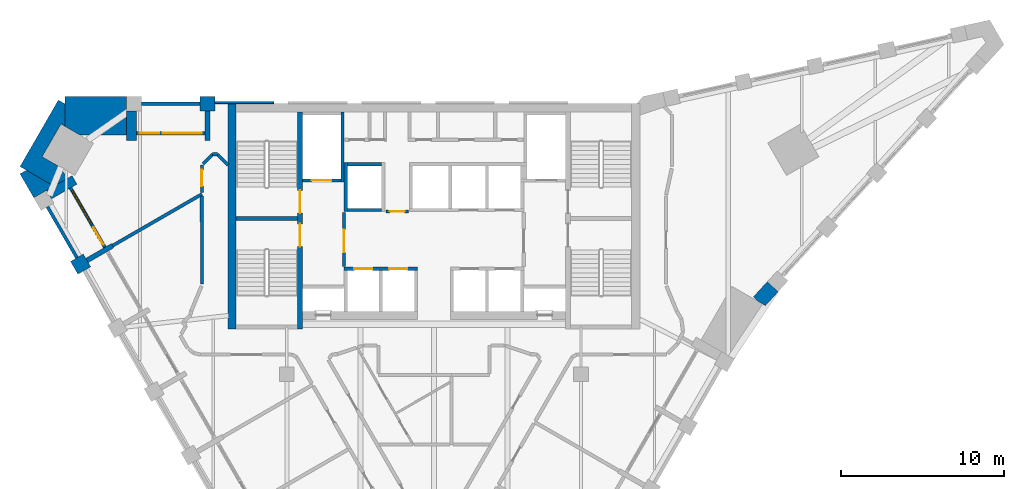
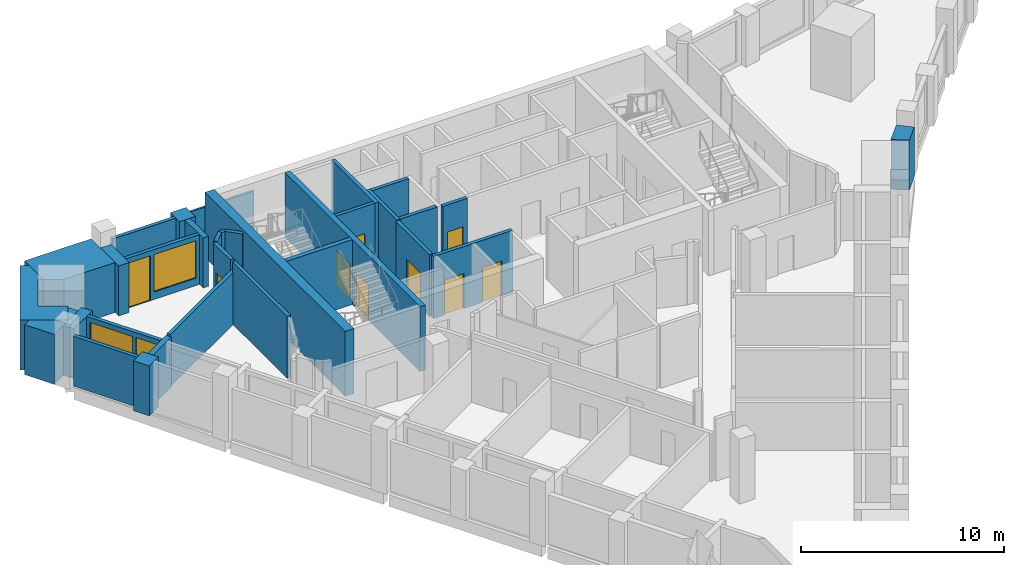
# One storey, part 5 of 8: 32 walls, 10 doors, 2 windows, 12 openings.
"""IFC4 building model written with IfcOpenShell, lengths in metres."""

from ifc_helpers import new_model, si_unit, direction, frame, frame_2d, origin, place, context, subcontext, project, spatial, polyline, rectangle, outline, extrude, material, layer, layer_set, type_object, element, fill, save


model = new_model("IFC4")

# Units and contexts
model_context = context("Model", 3, precision=1e-05, world=origin(), true_north=direction((0.0, 1.0)))
body_context = subcontext(model_context, "Body", "Model", "MODEL_VIEW")
ifc_project = project(units=[si_unit("LENGTHUNIT", "METRE"), si_unit("AREAUNIT", "SQUARE_METRE"), si_unit("VOLUMEUNIT", "CUBIC_METRE"), si_unit("PLANEANGLEUNIT", "RADIAN"), si_unit("MASSUNIT", "GRAM", prefix="KILO")], contexts=[model_context])

# Site, building, storey
site_placement = place(None, origin())
site = spatial("IfcSite", under=ifc_project, at=site_placement, CompositionType="ELEMENT")
building_placement = place(site_placement, origin())
building = spatial("IfcBuilding", under=site, at=building_placement, Name="Calabash Gate Tower", CompositionType="ELEMENT")
storey_placement = place(building_placement, frame((0.0, 0.0, 252.10009765625)))
storey = spatial("IfcBuildingStorey", under=building, at=storey_placement, Name="L60", CompositionType="ELEMENT", Elevation=252.10009765625)

# Walls
ifc_material_1 = material(Name="Terracotta brick masonry, exposed face", Category="masonry")
ifc_layer_1 = layer(ifc_material_1, 2.35009765625)
ifc_layer_set_1 = layer_set([ifc_layer_1], Name="Brick corner mass wall 2350")
wall_type_1 = type_object("IfcWallType", Name="Brick corner mass wall 2350", PredefinedType="SOLIDWALL", material=ifc_layer_set_1)
wall_1_placement = place(storey_placement, origin())
element("IfcWall", 1, at=wall_1_placement, inside=storey, type_object=wall_type_1, Name="Brick corner pier S17 3a", PredefinedType="SOLIDWALL", context=body_context, shape_type="SweptSolid", body=[
    extrude(outline(polyline([(-21.698974609375, 17.152587890625), (-18.805419921875, 17.152587890625), (-18.805419921875, 19.50244140625), (-22.59228515625, 19.50244140625), (-22.59228515625, 17.66845703125), (-21.698974609375, 17.152587890625)])), origin(), (0.0, 0.0, 1.0), 3.0),
])
wall_2_placement = place(storey_placement, origin())
element("IfcWall", 2, at=wall_2_placement, inside=storey, type_object=wall_type_1, Name="Brick corner pier S17 3b", PredefinedType="SOLIDWALL", context=body_context, shape_type="SweptSolid", body=[
    extrude(outline(polyline([(-22.822021484375, 17.801025390625), (-22.59228515625, 17.66845703125), (-22.59228515625, 19.052490234375), (-22.98193359375, 19.277587890625), (-25.331298828125, 15.20849609375), (-23.296142578125, 14.033447265625), (-22.6962890625, 15.072509765625), (-23.971923828125, 15.80908203125), (-22.822021484375, 17.801025390625)])), origin(), (0.0, 0.0, 1.0), 3.0),
])
wall_3_placement = place(storey_placement, origin())
element("IfcWall", 3, at=wall_3_placement, inside=storey, type_object=wall_type_1, Name="Brick corner pier S17 3c", PredefinedType="SOLIDWALL", context=body_context, shape_type="SweptSolid", body=[
    extrude(outline(polyline([(-22.747802734375, 14.9833984375), (-23.296142578125, 14.033447265625), (-24.941650390625, 14.9833984375), (-25.331298828125, 14.758544921875), (-24.487548828125, 13.296875), (-22.452392578125, 14.471923828125), (-22.747802734375, 14.9833984375)])), origin(), (0.0, 0.0, 1.0), 3.0),
])
ifc_material_2 = material(Name="Terracotta brick masonry, exposed face", Category="masonry")
ifc_layer_2 = layer(ifc_material_2, 0.89990234375)
ifc_layer_set_2 = layer_set([ifc_layer_2], Name="Brick end wall 900")
wall_type_2 = type_object("IfcWallType", Name="Brick end wall 900", PredefinedType="SOLIDWALL", material=ifc_layer_set_2)
wall_4_placement = place(storey_placement, frame((-21.39794921875, 8.845458984375, 0.0), z_axis=(0.0, 0.0, 1.0), x_axis=(-0.50001992892, 0.866013897511, 0.0)))
element("IfcWall", 4, at=wall_4_placement, inside=storey, type_object=wall_type_2, Name="Brick pier S17 SW0.1", PredefinedType="SOLIDWALL", context=body_context, shape_type="SweptSolid", body=[
    extrude(rectangle(XDim=0.89990234375, YDim=0.89990234375, at=frame_2d((0.449951171875, 0.0))), origin(), (0.0, 0.0, 1.0), 3.0),
])
wall_5_placement = place(storey_placement, origin())
element("IfcWall", 5, at=wall_5_placement, inside=storey, type_object=wall_type_2, Name="Brick pier S17 N6.5", PredefinedType="SOLIDWALL", context=body_context, shape_type="SweptSolid", body=[
    extrude(outline(polyline([(-13.405517578125, 19.50244140625), (-14.305419921875, 19.50244140625), (-14.305419921875, 18.6025390625), (-13.405517578125, 18.6025390625), (-13.405517578125, 19.50244140625)])), origin(), (0.0, 0.0, 1.0), 3.0),
])
wall_6_placement = place(storey_placement, origin())
element("IfcWall", 6, at=wall_6_placement, inside=storey, type_object=wall_type_2, Name="Brick end wall S17 1", PredefinedType="SOLIDWALL", context=body_context, shape_type="SweptSolid", body=[
    extrude(outline(polyline([(20.394775390625, 8.15625), (19.54931640625, 7.23193359375), (19.88134765625, 6.92822265625), (20.271240234375, 6.703125), (20.24658203125, 6.66064453125), (21.058837890625, 7.548828125), (20.394775390625, 8.15625)])), origin(), (0.0, 0.0, 1.0), 3.0),
])
ifc_material_3 = material(Name="Terracotta brick masonry, exposed face", Category="masonry")
ifc_layer_3 = layer(ifc_material_3, 0.300048828125)
ifc_layer_set_3 = layer_set([ifc_layer_3], Name="Brick loggia cheek wall 300")
wall_type_3 = type_object("IfcWallType", Name="Brick loggia cheek wall 300", PredefinedType="SOLIDWALL", material=ifc_layer_set_3)
wall_7_placement = place(storey_placement, frame((-23.55810546875, 13.487060546875, 0.0), z_axis=(0.0, 0.0, 1.0), x_axis=(0.865989075817, 0.500062916607, 0.0)))
element("IfcWall", 7, at=wall_7_placement, inside=storey, type_object=wall_type_3, Name="Loggia cheek S17 SW0.0", PredefinedType="SOLIDWALL", context=body_context, shape_type="SweptSolid", body=[
    extrude(rectangle(XDim=1.800048828125, YDim=0.60009765625, at=frame_2d((0.89990234375, 0.0))), origin(), (0.0, 0.0, 1.0), 3.0),
])
wall_8_placement = place(storey_placement, frame((-21.233154296875, 9.460205078125, 0.0), z_axis=(0.0, 0.0, 1.0), x_axis=(0.866047807691, 0.499961193289, 0.0)))
element("IfcWall", 8, at=wall_8_placement, inside=storey, type_object=wall_type_3, Name="Loggia cheek S17 SW0.1", PredefinedType="SOLIDWALL", context=body_context, shape_type="SweptSolid", body=[
    extrude(rectangle(XDim=1.800048828125, YDim=0.300048828125, at=frame_2d((0.89990234375, 0.0))), origin(), (0.0, 0.0, 1.0), 3.0),
])
wall_9_placement = place(storey_placement, origin())
element("IfcWall", 9, at=wall_9_placement, inside=storey, type_object=wall_type_3, Name="Loggia cheek S17 N6.5", PredefinedType="SOLIDWALL", context=body_context, shape_type="SweptSolid", body=[
    extrude(outline(polyline([(-13.705322265625, 16.802490234375), (-13.705322265625, 18.6025390625), (-14.00537109375, 18.6025390625), (-14.00537109375, 16.802490234375), (-13.705322265625, 16.802490234375)])), origin(), (0.0, 0.0, 1.0), 3.0),
])
wall_10_placement = place(storey_placement, origin())
element("IfcWall", 10, at=wall_10_placement, inside=storey, type_object=wall_type_3, Name="Loggia cheek S17 N6.6", PredefinedType="SOLIDWALL", context=body_context, shape_type="SweptSolid", body=[
    extrude(outline(polyline([(-18.805419921875, 18.6025390625), (-18.805419921875, 16.802490234375), (-18.205322265625, 16.802490234375), (-18.205322265625, 18.6025390625), (-18.805419921875, 18.6025390625)])), origin(), (0.0, 0.0, 1.0), 3.0),
])
ifc_material_4 = material(Name="Concrete C60/75", Category="concrete")
ifc_layer_4 = layer(ifc_material_4, 0.25)
ifc_layer_set_4 = layer_set([ifc_layer_4], Name="Core wall 250 Concrete C60/75")
wall_type_4 = type_object("IfcWallType", Name="Core wall 250 Concrete C60/75", PredefinedType="SHEAR", material=ifc_layer_set_4)
wall_11_placement = place(storey_placement, frame((-12.10009765625, 12.027587890625, 0.0), z_axis=(0.0, 0.0, 1.0), x_axis=(1.0, 0.0, 0.0)))
element("IfcWall", 11, at=wall_11_placement, inside=storey, type_object=wall_type_4, Name="Core wall Z5-MIDW L60", PredefinedType="SHEAR", context=body_context, shape_type="SweptSolid", body=[
    extrude(rectangle(XDim=3.75, YDim=0.25, at=frame_2d((1.875, 0.0))), origin(), (0.0, 0.0, 1.0), 3.89990234375),
])

# Wall, openings, doors
ifc_material_5 = material(Name="Concrete C60/75", Category="concrete")
ifc_layer_5 = layer(ifc_material_5, 0.300048828125)
ifc_layer_set_5 = layer_set([ifc_layer_5], Name="Core wall 300 Concrete C60/75")
wall_type_5 = type_object("IfcWallType", Name="Core wall 300 Concrete C60/75", PredefinedType="SHEAR", material=ifc_layer_set_5)
wall_12_placement = place(storey_placement, frame((-8.199951171875, 5.252685546875, 0.0), z_axis=(0.0, 0.0, 1.0), x_axis=(0.0, 1.0, 0.0)))
wall_12 = element("IfcWall", 12, at=wall_12_placement, inside=storey, type_object=wall_type_5, Name="Core wall Z5-PARTW L60", PredefinedType="SHEAR", context=body_context, shape_type="SweptSolid", body=[
    extrude(rectangle(XDim=13.2998046875, YDim=0.300048828125, at=frame_2d((6.64990234375, 0.0))), origin(), (0.0, 0.0, 1.0), 3.89990234375),
])
opening_1_placement = place(wall_12_placement, frame((7.10009765625, 0.0, 0.0)))
opening_1 = element("IfcOpeningElement", 13, at=opening_1_placement, cuts=wall_12, Name="Opening O9-011", PredefinedType="OPENING", context=body_context, shape_type="SweptSolid", body=[
    extrude(rectangle(XDim=1.39990234375, YDim=2.10009765625, at=frame_2d((0.699951171875, 1.050048828125))), frame((0.0, 0.159912109375, 0.0), z_axis=(0.0, -1.0, 0.0), x_axis=(1.0, 0.0, 0.0)), (0.0, 0.0, 1.0), 0.320068359375),
])
opening_2_placement = place(wall_12_placement, frame((5.050048828125, 0.0, 0.0)))
opening_2 = element("IfcOpeningElement", 14, at=opening_2_placement, cuts=wall_12, Name="Opening O9-012", PredefinedType="OPENING", context=body_context, shape_type="SweptSolid", body=[
    extrude(rectangle(XDim=1.39990234375, YDim=2.10009765625, at=frame_2d((0.699951171875, 1.050048828125))), frame((0.0, 0.159912109375, 0.0), z_axis=(0.0, -1.0, 0.0), x_axis=(1.0, 0.0, 0.0)), (0.0, 0.0, 1.0), 0.320068359375),
])
ifc_material_6 = material(Name="Steel fire door set with fire-resisting glazing", Category="steel")
door_type_1 = type_object("IfcDoorType", Name="Fire door D05 1400x2100 FD90", OperationType="NOTDEFINED", PredefinedType="DOOR", material=ifc_material_6)
door_1_placement = place(opening_1_placement, origin())
door_1 = element("IfcDoor", 15, at=door_1_placement, inside=storey, type_object=door_type_1, Name="Exit stair door ST1", OperationType="SINGLE_SWING_LEFT", OverallHeight=2.10009765625, OverallWidth=1.39990234375, PredefinedType="DOOR", context=body_context, shape_type="SweptSolid", body=[
    extrude(rectangle(XDim=1.39990234375, YDim=2.10009765625, at=frame_2d((0.699951171875, 1.050048828125))), frame((0.0, 0.02490234375, 0.0), z_axis=(0.0, -1.0, 0.0), x_axis=(1.0, 0.0, 0.0)), (0.0, 0.0, 1.0), 0.050048828125),
])
fill(opening_1, door_1)
door_2_placement = place(opening_2_placement, origin())
door_2 = element("IfcDoor", 16, at=door_2_placement, inside=storey, type_object=door_type_1, Name="Exit stair door ST2", OperationType="SINGLE_SWING_LEFT", OverallHeight=2.10009765625, OverallWidth=1.39990234375, PredefinedType="DOOR", context=body_context, shape_type="SweptSolid", body=[
    extrude(rectangle(XDim=1.39990234375, YDim=2.10009765625, at=frame_2d((0.699951171875, 1.050048828125))), frame((0.0, 0.02490234375, 0.0), z_axis=(0.0, -1.0, 0.0), x_axis=(1.0, 0.0, 0.0)), (0.0, 0.0, 1.0), 0.050048828125),
])
fill(opening_2, door_2)

# Walls
ifc_material_7 = material(Name="Concrete C60/75", Category="concrete")
ifc_layer_6 = layer(ifc_material_7, 0.5)
ifc_layer_set_6 = layer_set([ifc_layer_6], Name="Core wall 500 Concrete C60/75")
wall_type_6 = type_object("IfcWallType", Name="Core wall 500 Concrete C60/75", PredefinedType="SHEAR", material=ifc_layer_set_6)
wall_13_placement = place(storey_placement, frame((-12.35009765625, 5.252685546875, 0.0), z_axis=(0.0, 0.0, 1.0), x_axis=(0.0, 1.0, 0.0)))
element("IfcWall", 17, at=wall_13_placement, inside=storey, type_object=wall_type_6, Name="Core wall Z5-COLW L60", PredefinedType="SHEAR", context=body_context, shape_type="SweptSolid", body=[
    extrude(rectangle(XDim=13.7998046875, YDim=0.5, at=frame_2d((6.89990234375, 0.0))), origin(), (0.0, 0.0, 1.0), 3.89990234375),
])
ifc_material_8 = material(Name="Gypsum board on steel studs, mineral wool", Category="steel")
ifc_layer_7 = layer(ifc_material_8, 0.199951171875)
ifc_layer_set_7 = layer_set([ifc_layer_7], Name="Partition 200 gypsum board EI 60")
wall_type_7 = type_object("IfcWallType", Name="Partition 200 gypsum board EI 60", PredefinedType="PARTITIONING", material=ifc_layer_set_7)
wall_14_placement = place(storey_placement, frame((-14.201904296875, 13.41943359375, 0.0), z_axis=(0.0, 0.0, 1.0), x_axis=(0.000271161919, -0.999999963236, 0.0)))
element("IfcWall", 18, at=wall_14_placement, inside=storey, type_object=wall_type_7, Name="Partition", PredefinedType="PARTITIONING", context=body_context, shape_type="SweptSolid", body=[
    extrude(rectangle(XDim=5.402099609375, YDim=0.199951171875, at=frame_2d((2.701171875, 0.0))), origin(), (0.0, 0.0, 1.0), 3.72998046875),
])
wall_15_placement = place(storey_placement, frame((-19.67431640625, 10.3603515625, 0.0), z_axis=(0.0, 0.0, 1.0), x_axis=(0.866038288688, 0.499977682029, 0.0)))
element("IfcWall", 19, at=wall_15_placement, inside=storey, type_object=wall_type_7, Name="Partition", PredefinedType="PARTITIONING", context=body_context, shape_type="SweptSolid", body=[
    extrude(rectangle(XDim=6.320556640625, YDim=0.199951171875, at=frame_2d((3.16015625, 0.0))), origin(), (0.0, 0.0, 1.0), 3.1279296875),
])

# Wall, opening, door
wall_16_placement = place(storey_placement, frame((-14.200439453125, 13.62060546875, 0.0), z_axis=(0.0, 0.0, 1.0), x_axis=(0.0, 1.0, 0.0)))
wall_16 = element("IfcWall", 20, at=wall_16_placement, inside=storey, type_object=wall_type_7, Name="Partition", PredefinedType="PARTITIONING", context=body_context, shape_type="SweptSolid", body=[
    extrude(rectangle(XDim=1.67236328125, YDim=0.199951171875, at=frame_2d((0.836181640625, 0.0))), origin(), (0.0, 0.0, 1.0), 3.72998046875),
])
opening_3_placement = place(wall_16_placement, frame((0.385009765625, 0.0, 0.0)))
opening_3 = element("IfcOpeningElement", 21, at=opening_3_placement, cuts=wall_16, Name="Opening 59-61-009", PredefinedType="OPENING", context=body_context, shape_type="SweptSolid", body=[
    extrude(rectangle(XDim=1.0, YDim=2.10009765625, at=frame_2d((0.5, 1.050048828125))), frame((0.0, 0.10986328125, 0.0), z_axis=(0.0, -1.0, 0.0), x_axis=(1.0, 0.0, 0.0)), (0.0, 0.0, 1.0), 0.219970703125),
])
ifc_material_9 = material(Name="Steel fire door set with fire-resisting glazing", Category="steel")
door_type_2 = type_object("IfcDoorType", Name="LD2 Meeting room door 1000x2100", OperationType="NOTDEFINED", PredefinedType="DOOR", material=ifc_material_9)
door_3_placement = place(opening_3_placement, origin())
door_3 = element("IfcDoor", 22, at=door_3_placement, inside=storey, type_object=door_type_2, Name="Meeting room door", OperationType="SINGLE_SWING_LEFT", OverallHeight=2.10009765625, OverallWidth=1.0, PredefinedType="DOOR", context=body_context, shape_type="SweptSolid", body=[
    extrude(rectangle(XDim=1.0, YDim=2.10009765625, at=frame_2d((0.5, 1.050048828125))), frame((0.0, 0.02490234375, 0.0), z_axis=(0.0, -1.0, 0.0), x_axis=(1.0, 0.0, 0.0)), (0.0, 0.0, 1.0), 0.050048828125),
])
fill(opening_3, door_3)

# Walls
wall_17_placement = place(storey_placement, frame((-14.129638671875, 15.363525390625, 0.0), z_axis=(0.0, 0.0, 1.0), x_axis=(0.707106781187, 0.707106781187, 0.0)))
element("IfcWall", 23, at=wall_17_placement, inside=storey, type_object=wall_type_7, Name="Partition", PredefinedType="PARTITIONING", context=body_context, shape_type="SweptSolid", body=[
    extrude(rectangle(XDim=0.833740234375, YDim=0.199951171875, at=frame_2d((0.4169921875, 0.0))), origin(), (0.0, 0.0, 1.0), 3.72998046875),
])
wall_18_placement = place(storey_placement, frame((-13.5400390625, 15.953125, 0.0), z_axis=(0.0, 0.0, 1.0), x_axis=(0.99999962061, -0.000871079809, 0.0)))
element("IfcWall", 24, at=wall_18_placement, inside=storey, type_object=wall_type_7, Name="Partition", PredefinedType="PARTITIONING", context=body_context, shape_type="SweptSolid", body=[
    extrude(rectangle(XDim=0.2802734375, YDim=0.199951171875, at=frame_2d((0.14013671875, 0.0))), origin(), (0.0, 0.0, 1.0), 3.72998046875),
])
wall_19_placement = place(storey_placement, frame((-13.259765625, 15.952880859375, 0.0), z_axis=(0.0, 0.0, 1.0), x_axis=(0.708285399161, -0.705926195389, 0.0)))
element("IfcWall", 25, at=wall_19_placement, inside=storey, type_object=wall_type_7, Name="Partition", PredefinedType="PARTITIONING", context=body_context, shape_type="SweptSolid", body=[
    extrude(rectangle(XDim=0.931396484375, YDim=0.199951171875, at=frame_2d((0.4658203125, 0.0))), origin(), (0.0, 0.0, 1.0), 3.72998046875),
])

# Wall, openings, doors
ifc_material_10 = material(Name="Concrete C40/50", Category="concrete")
ifc_layer_8 = layer(ifc_material_10, 0.199951171875)
ifc_layer_set_8 = layer_set([ifc_layer_8], Name="Shaft wall 200 Concrete C40/50")
wall_type_8 = type_object("IfcWallType", Name="Shaft wall 200 Concrete C40/50", PredefinedType="SOLIDWALL", material=ifc_layer_set_8)
wall_20_placement = place(storey_placement, frame((-5.5, 8.95263671875, 0.0), z_axis=(0.0, 0.0, 1.0), x_axis=(1.0, 0.0, 0.0)))
wall_20 = element("IfcWall", 26, at=wall_20_placement, inside=storey, type_object=wall_type_8, Name="Shaft wall", PredefinedType="SOLIDWALL", context=body_context, shape_type="SweptSolid", body=[
    extrude(rectangle(XDim=4.5, YDim=0.199951171875, at=frame_2d((2.25, 0.0))), origin(), (0.0, 0.0, 1.0), 3.72998046875),
])
opening_4_placement = place(wall_20_placement, frame((0.625, 0.0, 0.0)))
opening_4 = element("IfcOpeningElement", 27, at=opening_4_placement, cuts=wall_20, Name="Opening LD-HR1", PredefinedType="OPENING", context=body_context, shape_type="SweptSolid", body=[
    extrude(rectangle(XDim=1.10009765625, YDim=2.10009765625, at=frame_2d((0.550048828125, 1.050048828125))), frame((0.0, 0.10986328125, 0.0), z_axis=(0.0, -1.0, 0.0), x_axis=(1.0, 0.0, 0.0)), (0.0, 0.0, 1.0), 0.219970703125),
])
opening_5_placement = place(wall_20_placement, frame((2.77490234375, 0.0, 0.0)))
opening_5 = element("IfcOpeningElement", 28, at=opening_5_placement, cuts=wall_20, Name="Opening LD-HR2", PredefinedType="OPENING", context=body_context, shape_type="SweptSolid", body=[
    extrude(rectangle(XDim=1.10009765625, YDim=2.10009765625, at=frame_2d((0.550048828125, 1.050048828125))), frame((0.0, 0.10986328125, 0.0), z_axis=(0.0, -1.0, 0.0), x_axis=(1.0, 0.0, 0.0)), (0.0, 0.0, 1.0), 0.219970703125),
])
ifc_material_11 = material(Name="Stainless steel sliding door leaves", Category="steel")
door_type_3 = type_object("IfcDoorType", Name="Lift landing door LS1 1100x2100 FD90", OperationType="DOUBLE_DOOR_SLIDING", PredefinedType="DOOR", material=ifc_material_11)
door_4_placement = place(opening_4_placement, origin())
door_4 = element("IfcDoor", 29, at=door_4_placement, inside=storey, type_object=door_type_3, Name="Lift landing door HR1", OperationType="DOUBLE_DOOR_SLIDING", OverallHeight=2.10009765625, OverallWidth=1.10009765625, PredefinedType="DOOR", context=body_context, shape_type="SweptSolid", body=[
    extrude(rectangle(XDim=1.10009765625, YDim=2.10009765625, at=frame_2d((0.550048828125, 1.050048828125))), frame((0.0, 0.02490234375, 0.0), z_axis=(0.0, -1.0, 0.0), x_axis=(1.0, 0.0, 0.0)), (0.0, 0.0, 1.0), 0.050048828125),
])
fill(opening_4, door_4)
door_5_placement = place(opening_5_placement, origin())
door_5 = element("IfcDoor", 30, at=door_5_placement, inside=storey, type_object=door_type_3, Name="Lift landing door HR2", OperationType="DOUBLE_DOOR_SLIDING", OverallHeight=2.10009765625, OverallWidth=1.10009765625, PredefinedType="DOOR", context=body_context, shape_type="SweptSolid", body=[
    extrude(rectangle(XDim=1.10009765625, YDim=2.10009765625, at=frame_2d((0.550048828125, 1.050048828125))), frame((0.0, 0.02490234375, 0.0), z_axis=(0.0, -1.0, 0.0), x_axis=(1.0, 0.0, 0.0)), (0.0, 0.0, 1.0), 0.050048828125),
])
fill(opening_5, door_5)

# Wall, opening, door
wall_21_placement = place(storey_placement, frame((-5.5, 9.1025390625, 0.0), z_axis=(0.0, 0.0, 1.0), x_axis=(0.0, 1.0, 0.0)))
wall_21 = element("IfcWall", 31, at=wall_21_placement, inside=storey, type_object=wall_type_8, Name="Shaft wall", PredefinedType="SOLIDWALL", context=body_context, shape_type="SweptSolid", body=[
    extrude(rectangle(XDim=3.300048828125, YDim=0.199951171875, at=frame_2d((1.64990234375, 0.0))), origin(), (0.0, 0.0, 1.0), 3.72998046875),
])
opening_6_placement = place(wall_21_placement, frame((0.85009765625, 0.0, 0.0)))
opening_6 = element("IfcOpeningElement", 32, at=opening_6_placement, cuts=wall_21, Name="Opening O9-003", PredefinedType="OPENING", context=body_context, shape_type="SweptSolid", body=[
    extrude(rectangle(XDim=1.39990234375, YDim=2.10009765625, at=frame_2d((0.699951171875, 1.050048828125))), frame((0.0, 0.10986328125, 0.0), z_axis=(0.0, -1.0, 0.0), x_axis=(1.0, 0.0, 0.0)), (0.0, 0.0, 1.0), 0.219970703125),
])
door_6_placement = place(opening_6_placement, origin())
door_6 = element("IfcDoor", 33, at=door_6_placement, inside=storey, type_object=door_type_1, Name="Firefighting Lobby W door", OperationType="SINGLE_SWING_RIGHT", OverallHeight=2.10009765625, OverallWidth=1.39990234375, PredefinedType="DOOR", context=body_context, shape_type="SweptSolid", body=[
    extrude(rectangle(XDim=1.39990234375, YDim=2.10009765625, at=frame_2d((0.699951171875, 1.050048828125))), frame((0.0, 0.02490234375, 0.0), z_axis=(0.0, -1.0, 0.0), x_axis=(1.0, 0.0, 0.0)), (0.0, 0.0, 1.0), 0.050048828125),
])
fill(opening_6, door_6)

wall_22_placement = place(storey_placement, frame((-2.949951171875, 12.45263671875, 0.0), z_axis=(0.0, 0.0, 1.0), x_axis=(1.0, 0.0, 0.0)))
wall_22 = element("IfcWall", 34, at=wall_22_placement, inside=storey, type_object=wall_type_8, Name="Shaft wall", PredefinedType="SOLIDWALL", context=body_context, shape_type="SweptSolid", body=[
    extrude(rectangle(XDim=1.39990234375, YDim=0.199951171875, at=frame_2d((0.699951171875, 0.0))), origin(), (0.0, 0.0, 1.0), 3.72998046875),
])
opening_7_placement = place(wall_22_placement, frame((0.25, 0.0, 0.0)))
opening_7 = element("IfcOpeningElement", 35, at=opening_7_placement, cuts=wall_22, Name="Opening O9-001", PredefinedType="OPENING", context=body_context, shape_type="SweptSolid", body=[
    extrude(rectangle(XDim=0.89990234375, YDim=2.10009765625, at=frame_2d((0.449951171875, 1.050048828125))), frame((0.0, 0.10986328125, 0.0), z_axis=(0.0, -1.0, 0.0), x_axis=(1.0, 0.0, 0.0)), (0.0, 0.0, 1.0), 0.219970703125),
])
ifc_material_12 = material(Name="Steel fire door set with fire-resisting glazing", Category="steel")
door_type_4 = type_object("IfcDoorType", Name="Fire door D06 900x2100 FD60", OperationType="NOTDEFINED", PredefinedType="DOOR", material=ifc_material_12)
door_7_placement = place(opening_7_placement, origin())
door_7 = element("IfcDoor", 36, at=door_7_placement, inside=storey, type_object=door_type_4, Name="Service Corridor door", OperationType="SINGLE_SWING_RIGHT", OverallHeight=2.10009765625, OverallWidth=0.89990234375, PredefinedType="DOOR", context=body_context, shape_type="SweptSolid", body=[
    extrude(rectangle(XDim=0.89990234375, YDim=2.10009765625, at=frame_2d((0.449951171875, 1.050048828125))), frame((0.0, 0.02490234375, 0.0), z_axis=(0.0, -1.0, 0.0), x_axis=(1.0, 0.0, 0.0)), (0.0, 0.0, 1.0), 0.050048828125),
])
fill(opening_7, door_7)

# Walls
wall_23_placement = place(storey_placement, frame((-5.39990234375, 12.45263671875, 0.0), z_axis=(0.0, 0.0, 1.0), x_axis=(0.0, 1.0, 0.0)))
element("IfcWall", 37, at=wall_23_placement, inside=storey, type_object=wall_type_8, Name="Shaft wall", PredefinedType="SOLIDWALL", context=body_context, shape_type="SweptSolid", body=[
    extrude(rectangle(XDim=3.0, YDim=0.199951171875, at=frame_2d((1.5, 0.0))), origin(), (0.0, 0.0, 1.0), 3.72998046875),
])
wall_24_placement = place(storey_placement, frame((-5.300048828125, 12.552490234375, 0.0), z_axis=(0.0, 0.0, 1.0), x_axis=(1.0, 0.0, 0.0)))
element("IfcWall", 38, at=wall_24_placement, inside=storey, type_object=wall_type_8, Name="Shaft wall", PredefinedType="SOLIDWALL", context=body_context, shape_type="SweptSolid", body=[
    extrude(rectangle(XDim=2.10009765625, YDim=0.199951171875, at=frame_2d((1.050048828125, 0.0))), origin(), (0.0, 0.0, 1.0), 3.72998046875),
])

# Wall, opening, door
wall_25_placement = place(storey_placement, frame((-8.050048828125, 14.3525390625, 0.0), z_axis=(0.0, 0.0, 1.0), x_axis=(1.0, 0.0, 0.0)))
wall_25 = element("IfcWall", 39, at=wall_25_placement, inside=storey, type_object=wall_type_8, Name="Shaft wall", PredefinedType="SOLIDWALL", context=body_context, shape_type="SweptSolid", body=[
    extrude(rectangle(XDim=2.35009765625, YDim=0.199951171875, at=frame_2d((1.175048828125, 0.0))), origin(), (0.0, 0.0, 1.0), 3.72998046875),
])
opening_8_placement = place(wall_25_placement, frame((0.574951171875, 0.0, 0.0)))
opening_8 = element("IfcOpeningElement", 40, at=opening_8_placement, cuts=wall_25, Name="Opening LD-FF1", PredefinedType="OPENING", context=body_context, shape_type="SweptSolid", body=[
    extrude(rectangle(XDim=1.199951171875, YDim=2.10009765625, at=frame_2d((0.60009765625, 1.050048828125))), frame((0.0, 0.10986328125, 0.0), z_axis=(0.0, -1.0, 0.0), x_axis=(1.0, 0.0, 0.0)), (0.0, 0.0, 1.0), 0.219970703125),
])
ifc_material_13 = material(Name="Stainless steel sliding door leaves", Category="steel")
door_type_5 = type_object("IfcDoorType", Name="Lift landing door LS3 1200x2100 FD90", OperationType="DOUBLE_DOOR_SLIDING", PredefinedType="DOOR", material=ifc_material_13)
door_8_placement = place(opening_8_placement, origin())
door_8 = element("IfcDoor", 41, at=door_8_placement, inside=storey, type_object=door_type_5, Name="Lift landing door FF1", OperationType="DOUBLE_DOOR_SLIDING", OverallHeight=2.10009765625, OverallWidth=1.199951171875, PredefinedType="DOOR", context=body_context, shape_type="SweptSolid", body=[
    extrude(rectangle(XDim=1.199951171875, YDim=2.10009765625, at=frame_2d((0.60009765625, 1.050048828125))), frame((0.0, 0.02490234375, 0.0), z_axis=(0.0, -1.0, 0.0), x_axis=(1.0, 0.0, 0.0)), (0.0, 0.0, 1.0), 0.050048828125),
])
fill(opening_8, door_8)

# Walls
wall_26_placement = place(storey_placement, frame((-5.60009765625, 14.252685546875, 0.0), z_axis=(0.0, 0.0, 1.0), x_axis=(0.0, 1.0, 0.0)))
element("IfcWall", 42, at=wall_26_placement, inside=storey, type_object=wall_type_8, Name="Shaft wall", PredefinedType="SOLIDWALL", context=body_context, shape_type="SweptSolid", body=[
    extrude(rectangle(XDim=4.2998046875, YDim=0.199951171875, at=frame_2d((2.14990234375, 0.0))), origin(), (0.0, 0.0, 1.0), 3.72998046875),
])
wall_27_placement = place(storey_placement, frame((-5.300048828125, 15.3525390625, 0.0), z_axis=(0.0, 0.0, 1.0), x_axis=(1.0, 0.0, 0.0)))
element("IfcWall", 43, at=wall_27_placement, inside=storey, type_object=wall_type_8, Name="Shaft wall", PredefinedType="SOLIDWALL", context=body_context, shape_type="SweptSolid", body=[
    extrude(rectangle(XDim=2.10009765625, YDim=0.199951171875, at=frame_2d((1.050048828125, 0.0))), origin(), (0.0, 0.0, 1.0), 3.72998046875),
])
ifc_material_14 = material(Name="Terracotta brick masonry, perforated", Category="masonry")
ifc_layer_9 = layer(ifc_material_14, 0.1201171875)
ifc_layer_set_9 = layer_set([ifc_layer_9], Name="Terracotta jaali cladding A 120")
wall_type_9 = type_object("IfcWallType", Name="Terracotta jaali cladding A 120", PredefinedType="SOLIDWALL", material=ifc_layer_set_9)
wall_28_placement = place(storey_placement, origin())
element("IfcWall", 44, at=wall_28_placement, inside=storey, type_object=wall_type_9, Name="Jaali cladding S17 N6.5", PredefinedType="SOLIDWALL", context=body_context, shape_type="SweptSolid", body=[
    extrude(outline(polyline([(-13.405029296875, 19.172607421875), (-13.405029296875, 19.052490234375), (-9.805419921875, 19.052490234375), (-9.805419921875, 19.172607421875), (-13.405029296875, 19.172607421875)])), origin(), (0.0, 0.0, 1.0), 3.0),
])
ifc_material_15 = material(Name="Terracotta brick masonry, perforated", Category="masonry")
ifc_layer_10 = layer(ifc_material_15, 0.199951171875)
ifc_layer_set_10 = layer_set([ifc_layer_10], Name="Terracotta jaali screen A")
wall_type_10 = type_object("IfcWallType", Name="Terracotta jaali screen A", PredefinedType="SOLIDWALL", material=ifc_layer_set_10)
wall_29_placement = place(storey_placement, frame((-23.64794921875, 12.742431640625, 0.0), z_axis=(0.0, 0.0, 1.0), x_axis=(0.500012057535, -0.866018442252, 0.0)))
element("IfcWall", 45, at=wall_29_placement, inside=storey, type_object=wall_type_10, Name="SCREEN A S17 SW0.1", PredefinedType="SOLIDWALL", context=body_context, shape_type="SweptSolid", body=[
    extrude(rectangle(XDim=3.60009765625, YDim=0.199951171875, at=frame_2d((1.800048828125, 0.0))), origin(), (0.0, 0.0, 1.0), 3.0),
])
wall_30_placement = place(storey_placement, origin())
element("IfcWall", 46, at=wall_30_placement, inside=storey, type_object=wall_type_10, Name="SCREEN A S17 N6.6", PredefinedType="SOLIDWALL", context=body_context, shape_type="SweptSolid", body=[
    extrude(outline(polyline([(-14.305419921875, 19.152587890625), (-17.903076171875, 19.152587890625), (-17.903076171875, 18.95263671875), (-14.305419921875, 18.95263671875), (-14.305419921875, 19.152587890625)])), origin(), (0.0, 0.0, 1.0), 3.0),
])

# Wall, openings, door, window
ifc_material_16 = material(Name="Aluminium framed window wall with insulated spandrel", Category="aluminium")
ifc_layer_11 = layer(ifc_material_16, 0.199951171875)
ifc_layer_set_11 = layer_set([ifc_layer_11], Name="Window wall 200")
wall_type_11 = type_object("IfcWallType", Name="Window wall 200", PredefinedType="ELEMENTEDWALL", material=ifc_layer_set_11)
wall_31_placement = place(storey_placement, frame((-22.239013671875, 13.90234375, 0.0), z_axis=(0.0, 0.0, 1.0), x_axis=(0.500027713859, -0.866009402589, 0.0)))
wall_31 = element("IfcWall", 47, at=wall_31_placement, inside=storey, type_object=wall_type_11, Name="Window wall S17 SW0.1", PredefinedType="ELEMENTEDWALL", context=body_context, shape_type="SweptSolid", body=[
    extrude(rectangle(XDim=4.199951171875, YDim=0.199951171875, at=frame_2d((2.10009765625, 0.0))), origin(), (0.0, 0.0, 1.0), 3.0),
])
opening_9_placement = place(wall_31_placement, frame((0.199951171875, 0.0, 0.449951171875)))
opening_9 = element("IfcOpeningElement", 48, at=opening_9_placement, cuts=wall_31, Name="Opening OW1", PredefinedType="OPENING", context=body_context, shape_type="SweptSolid", body=[
    extrude(rectangle(XDim=2.39990234375, YDim=2.25, at=frame_2d((1.199951171875, 1.125))), frame((0.0, 0.10986328125, 0.0), z_axis=(0.0, -1.0, 0.0), x_axis=(1.0, 0.0, 0.0)), (0.0, 0.0, 1.0), 0.219970703125),
])
opening_10_placement = place(wall_31_placement, frame((2.800048828125, 0.0, 0.0)))
opening_10 = element("IfcOpeningElement", 49, at=opening_10_placement, cuts=wall_31, Name="Opening O9-017", PredefinedType="OPENING", context=body_context, shape_type="SweptSolid", body=[
    extrude(rectangle(XDim=1.199951171875, YDim=2.699951171875, at=frame_2d((0.60009765625, 1.35009765625))), frame((0.0, 0.10986328125, 0.0), z_axis=(0.0, -1.0, 0.0), x_axis=(1.0, 0.0, 0.0)), (0.0, 0.0, 1.0), 0.219970703125),
])
ifc_material_17 = material(Name="Anodised aluminium frame, bronze finish, impact-rated laminated clear glazing", Category="aluminium")
door_type_6 = type_object("IfcDoorType", Name="Loggia door DO1 1200x2700", OperationType="SLIDING_TO_LEFT", PredefinedType="DOOR", material=ifc_material_17)
door_9_placement = place(opening_10_placement, origin())
door_9 = element("IfcDoor", 50, at=door_9_placement, inside=storey, type_object=door_type_6, Name="Loggia door S17 SW0.1", OperationType="SINGLE_SWING_LEFT", OverallHeight=2.699951171875, OverallWidth=1.199951171875, PredefinedType="DOOR", context=body_context, shape_type="SweptSolid", body=[
    extrude(rectangle(XDim=1.199951171875, YDim=2.699951171875, at=frame_2d((0.60009765625, 1.35009765625))), frame((0.0, 0.02490234375, 0.0), z_axis=(0.0, -1.0, 0.0), x_axis=(1.0, 0.0, 0.0)), (0.0, 0.0, 1.0), 0.050048828125),
])
fill(opening_10, door_9)
ifc_material_18 = material(Name="Anodised aluminium frame, bronze finish, impact-rated laminated clear glazing", Category="aluminium")
window_type = type_object("IfcWindowType", Name="Window OW1 2400x2250", PartitioningType="DOUBLE_PANEL_VERTICAL", PredefinedType="WINDOW", material=ifc_material_18)
window_1_placement = place(opening_9_placement, origin())
window_1 = element("IfcWindow", 51, at=window_1_placement, inside=storey, type_object=window_type, Name="Window OW1 S17 SW0.1", OverallHeight=2.25, OverallWidth=2.39990234375, PartitioningType="SINGLE_PANEL", PredefinedType="WINDOW", context=body_context, shape_type="SweptSolid", body=[
    extrude(rectangle(XDim=2.39990234375, YDim=2.25, at=frame_2d((1.199951171875, 1.125))), frame((0.0, 0.030029296875, 0.0), z_axis=(0.0, -1.0, 0.0), x_axis=(1.0, 0.0, 0.0)), (0.0, 0.0, 1.0), 0.06005859375),
])
fill(opening_9, window_1)

wall_32_placement = place(storey_placement, frame((-14.00537109375, 17.25244140625, 0.0), z_axis=(0.0, 0.0, 1.0), x_axis=(-1.0, 0.0, 0.0)))
wall_32 = element("IfcWall", 52, at=wall_32_placement, inside=storey, type_object=wall_type_11, Name="Window wall S17 N6.6", PredefinedType="ELEMENTEDWALL", context=body_context, shape_type="SweptSolid", body=[
    extrude(rectangle(XDim=4.199951171875, YDim=0.199951171875, at=frame_2d((2.10009765625, 0.0))), origin(), (0.0, 0.0, 1.0), 3.0),
])
opening_11_placement = place(wall_32_placement, frame((0.199951171875, 0.0, 0.449951171875)))
opening_11 = element("IfcOpeningElement", 53, at=opening_11_placement, cuts=wall_32, Name="Opening OW1", PredefinedType="OPENING", context=body_context, shape_type="SweptSolid", body=[
    extrude(rectangle(XDim=2.39990234375, YDim=2.25, at=frame_2d((1.199951171875, 1.125))), frame((0.0, 0.10986328125, 0.0), z_axis=(0.0, -1.0, 0.0), x_axis=(1.0, 0.0, 0.0)), (0.0, 0.0, 1.0), 0.219970703125),
])
opening_12_placement = place(wall_32_placement, frame((2.800048828125, 0.0, 0.0)))
opening_12 = element("IfcOpeningElement", 54, at=opening_12_placement, cuts=wall_32, Name="Opening O9-015", PredefinedType="OPENING", context=body_context, shape_type="SweptSolid", body=[
    extrude(rectangle(XDim=1.199951171875, YDim=2.699951171875, at=frame_2d((0.60009765625, 1.35009765625))), frame((0.0, 0.10986328125, 0.0), z_axis=(0.0, -1.0, 0.0), x_axis=(1.0, 0.0, 0.0)), (0.0, 0.0, 1.0), 0.219970703125),
])
door_10_placement = place(opening_12_placement, origin())
door_10 = element("IfcDoor", 55, at=door_10_placement, inside=storey, type_object=door_type_6, Name="Loggia door S17 N6.6", OperationType="SINGLE_SWING_LEFT", OverallHeight=2.699951171875, OverallWidth=1.199951171875, PredefinedType="DOOR", context=body_context, shape_type="SweptSolid", body=[
    extrude(rectangle(XDim=1.199951171875, YDim=2.699951171875, at=frame_2d((0.60009765625, 1.35009765625))), frame((0.0, 0.02490234375, 0.0), z_axis=(0.0, -1.0, 0.0), x_axis=(1.0, 0.0, 0.0)), (0.0, 0.0, 1.0), 0.050048828125),
])
fill(opening_12, door_10)
window_2_placement = place(opening_11_placement, origin())
window_2 = element("IfcWindow", 56, at=window_2_placement, inside=storey, type_object=window_type, Name="Window OW1 S17 N6.6", OverallHeight=2.25, OverallWidth=2.39990234375, PartitioningType="SINGLE_PANEL", PredefinedType="WINDOW", context=body_context, shape_type="SweptSolid", body=[
    extrude(rectangle(XDim=2.39990234375, YDim=2.25, at=frame_2d((1.199951171875, 1.125))), frame((0.0, 0.030029296875, 0.0), z_axis=(0.0, -1.0, 0.0), x_axis=(1.0, 0.0, 0.0)), (0.0, 0.0, 1.0), 0.06005859375),
])
fill(opening_11, window_2)

save(model, "model.ifc")
